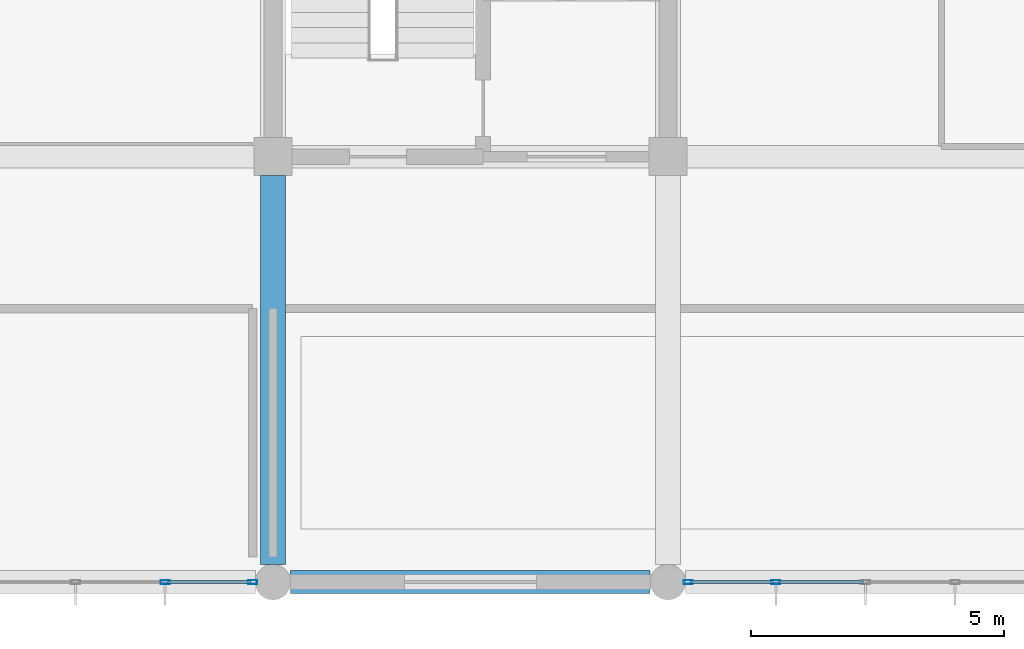
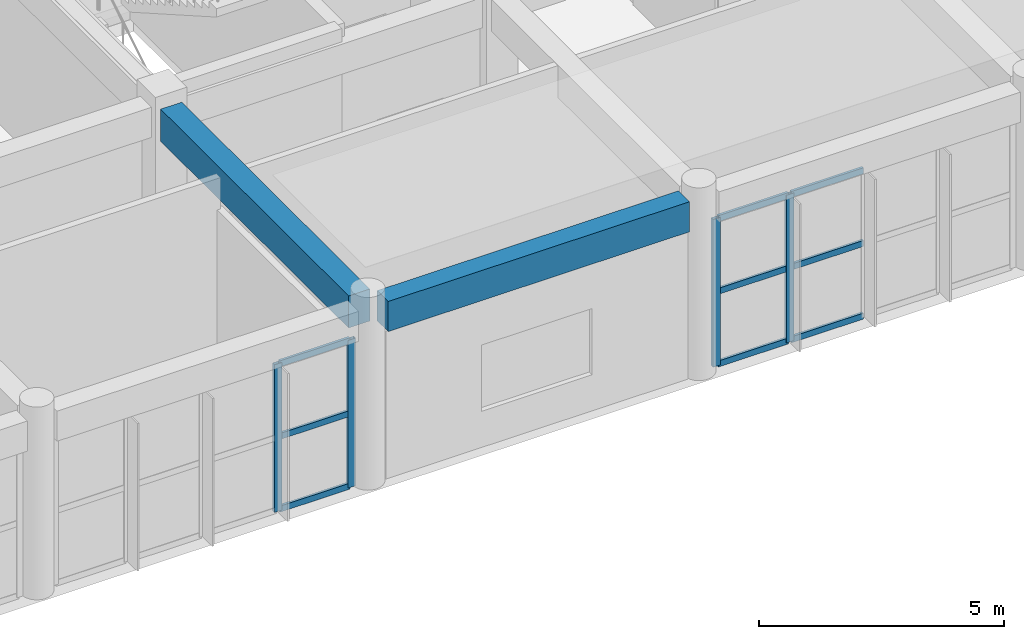
# One storey, part 17 of 175: 13 members, 2 beams, 2 elements without a shape of their own.
"""IFC4 building model written with IfcOpenShell, lengths in metres."""

from ifc_helpers import new_model, si_unit, direction, frame, origin, origin_2d, place, context, subcontext, project, spatial, rectangle, hollow_rectangle, extrude, material, layer, layer_set, material_profile, profile_set, type_object, element, aggregate, save


model = new_model("IFC4")

# Units and contexts
model_context = context("Model", 3, precision=1e-05, world=origin(), true_north=direction((0.0, 1.0)))
body_context = subcontext(model_context, "Body", "Model", "MODEL_VIEW")
ifc_project = project(units=[si_unit("LENGTHUNIT", "METRE"), si_unit("AREAUNIT", "SQUARE_METRE"), si_unit("VOLUMEUNIT", "CUBIC_METRE"), si_unit("PLANEANGLEUNIT", "RADIAN"), si_unit("MASSUNIT", "GRAM", prefix="KILO")], contexts=[model_context])

# Site, building, storey
site_placement = place(None, origin())
site = spatial("IfcSite", under=ifc_project, at=site_placement, CompositionType="ELEMENT")
building_placement = place(site_placement, origin())
building = spatial("IfcBuilding", under=site, at=building_placement, Name="Zizhar Promenade General Hospital", CompositionType="ELEMENT")
storey_placement = place(building_placement, frame((0.0, 0.0, 4.800048828125)))
storey = spatial("IfcBuildingStorey", under=building, at=storey_placement, Name="L01", CompositionType="ELEMENT", Elevation=4.800048828125)

# Beams
ifc_material_1 = material(Name="Concrete C35/45", Category="concrete")
ifc_material_profile_1 = material_profile(ifc_material_1, rectangle(XDim=0.449951171875, YDim=0.75, at=origin_2d()))
ifc_profile_set_1 = profile_set([ifc_material_profile_1], Name="Concrete C35/45")
beam_type_1 = type_object("IfcBeamType", Name="BM-RC-450x750", PredefinedType="BEAM", material=ifc_profile_set_1)
beam_1_placement = place(storey_placement, frame((47.14990234375, 0.0, 4.094970703125), z_axis=(1.0, 0.0, 0.0), x_axis=(0.0, 1.0, 0.0)))
element("IfcBeam", 1, at=beam_1_placement, inside=storey, type_object=beam_type_1, Name="Grid Beam X L01 (6-0)", PredefinedType="BEAM", context=body_context, shape_type="SweptSolid", body=[
    extrude(rectangle(XDim=0.449951171875, YDim=0.75, at=origin_2d()), origin(), (0.0, 0.0, 1.0), 7.10009765625),
])
ifc_material_2 = material(Name="Concrete C35/45", Category="concrete")
ifc_material_profile_2 = material_profile(ifc_material_2, rectangle(XDim=0.5, YDim=0.800048828125, at=origin_2d()))
ifc_profile_set_2 = profile_set([ifc_material_profile_2], Name="Concrete C35/45")
beam_type_2 = type_object("IfcBeamType", Name="BM-RC-500x800", PredefinedType="BEAM", material=ifc_profile_set_2)
beam_2_placement = place(storey_placement, frame((46.800048828125, 0.35009765625, 4.070068359375), z_axis=(0.0, 1.0, 0.0), x_axis=(-1.0, 0.0, 0.0)))
element("IfcBeam", 2, at=beam_2_placement, inside=storey, type_object=beam_type_2, Name="Grid Beam Y L01 (6-0)", PredefinedType="BEAM", context=body_context, shape_type="SweptSolid", body=[
    extrude(rectangle(XDim=0.5, YDim=0.800048828125, at=origin_2d()), origin(), (0.0, 0.0, 1.0), 7.6748046875),
])

# Curtain wall, members
ifc_material_3 = material(Name="Anodised aluminium 6063-T6 and low-E glass", Category="aluminium")
ifc_layer = layer(ifc_material_3, 0.159912109375)
ifc_layer_set = layer_set([ifc_layer], Name="Anodised aluminium 6063-T6 and low-E glass")
curtain_wall_type = type_object("IfcCurtainWallType", Name="CW-DT-MOD1", PredefinedType="NOTDEFINED", material=ifc_layer_set)
curtain_wall_1_placement = place(storey_placement, origin())
curtain_wall_1 = element("IfcCurtainWall", 3, at=curtain_wall_1_placement, inside=storey, type_object=curtain_wall_type, Name="Riverfront Clinical Curtain Wall L01-4", PredefinedType="NOTDEFINED")
ifc_material_4 = material(Name="Anodised aluminium 6063-T6", Category="aluminium")
ifc_material_profile_3 = material_profile(ifc_material_4, hollow_rectangle(XDim=0.080078125, YDim=0.179931640625, WallThickness=0.0048828125, at=origin_2d()))
ifc_profile_set_3 = profile_set([ifc_material_profile_3], Name="Anodised aluminium 6063-T6")
member_type_1 = type_object("IfcMemberType", Name="CWM-ALU-180x80", PredefinedType="MULLION", material=ifc_profile_set_3)
member_1_placement = place(storey_placement, frame((46.39990234375, 0.0, 0.0), z_axis=(0.0, 0.0, 1.0), x_axis=(0.0, -1.0, 0.0)))
member_1 = element("IfcMember", 4, at=member_1_placement, type_object=member_type_1, Name="CW-07 mullion 1", PredefinedType="MULLION", context=body_context, shape_type="SweptSolid", body=[
    extrude(hollow_rectangle(XDim=0.080078125, YDim=0.179931640625, WallThickness=0.0048828125, at=origin_2d()), origin(), (0.0, 0.0, 1.0), 3.679931640625),
])
member_2_placement = place(storey_placement, frame((44.669921875, 0.0, 0.0), z_axis=(0.0, 0.0, 1.0), x_axis=(0.0, -1.0, 0.0)))
member_2 = element("IfcMember", 5, at=member_2_placement, type_object=member_type_1, Name="CW-07 mullion 2", PredefinedType="MULLION", context=body_context, shape_type="SweptSolid", body=[
    extrude(hollow_rectangle(XDim=0.080078125, YDim=0.179931640625, WallThickness=0.0048828125, at=origin_2d()), origin(), (0.0, 0.0, 1.0), 3.679931640625),
])

curtain_wall_2_placement = place(storey_placement, origin())
curtain_wall_2 = element("IfcCurtainWall", 6, at=curtain_wall_2_placement, inside=storey, type_object=curtain_wall_type, Name="Riverfront Clinical Curtain Wall L01-6", PredefinedType="NOTDEFINED")
member_3_placement = place(storey_placement, frame((56.72998046875, 0.0, 0.0), z_axis=(0.0, 0.0, 1.0), x_axis=(0.0, -1.0, 0.0)))
member_3 = element("IfcMember", 7, at=member_3_placement, type_object=member_type_1, Name="CW-07 mullion 4", PredefinedType="MULLION", context=body_context, shape_type="SweptSolid", body=[
    extrude(hollow_rectangle(XDim=0.080078125, YDim=0.179931640625, WallThickness=0.0048828125, at=origin_2d()), origin(), (0.0, 0.0, 1.0), 3.679931640625),
])
member_4_placement = place(storey_placement, frame((55.0, 0.0, 0.0), z_axis=(0.0, 0.0, 1.0), x_axis=(0.0, -1.0, 0.0)))
member_4 = element("IfcMember", 8, at=member_4_placement, type_object=member_type_1, Name="CW-07 mullion 5", PredefinedType="MULLION", context=body_context, shape_type="SweptSolid", body=[
    extrude(hollow_rectangle(XDim=0.080078125, YDim=0.179931640625, WallThickness=0.0048828125, at=origin_2d()), origin(), (0.0, 0.0, 1.0), 3.679931640625),
])

# Member
ifc_material_5 = material(Name="Anodised aluminium 6063-T6", Category="aluminium")
ifc_material_profile_4 = material_profile(ifc_material_5, hollow_rectangle(XDim=0.06005859375, YDim=0.14990234375, WallThickness=0.00390625, at=origin_2d()))
ifc_profile_set_4 = profile_set([ifc_material_profile_4], Name="Anodised aluminium 6063-T6")
member_type_2 = type_object("IfcMemberType", Name="CWT-ALU-150x60", PredefinedType="USERDEFINED", material=ifc_profile_set_4)
member_5_placement = place(storey_placement, frame((46.360107421875, 0.0, 0.030029296875), z_axis=(-1.0, 0.0, 0.0), x_axis=(0.0, -1.0, 0.0)))
member_5 = element("IfcMember", 9, at=member_5_placement, type_object=member_type_2, Name="CW-07 transom 1.1", ObjectType="TRANSOM", PredefinedType="USERDEFINED", context=body_context, shape_type="SweptSolid", body=[
    extrude(hollow_rectangle(XDim=0.06005859375, YDim=0.14990234375, WallThickness=0.00390625, at=origin_2d()), origin(), (0.0, 0.0, 1.0), 1.650146484375),
])

member_6_placement = place(storey_placement, frame((46.360107421875, 0.0, 1.83984375), z_axis=(-1.0, 0.0, 0.0), x_axis=(0.0, -1.0, 0.0)))
member_6 = element("IfcMember", 10, at=member_6_placement, type_object=member_type_2, Name="CW-07 transom 1.2", ObjectType="TRANSOM", PredefinedType="USERDEFINED", context=body_context, shape_type="SweptSolid", body=[
    extrude(hollow_rectangle(XDim=0.06005859375, YDim=0.14990234375, WallThickness=0.00390625, at=origin_2d()), origin(), (0.0, 0.0, 1.0), 1.650146484375),
])

member_7_placement = place(storey_placement, frame((46.360107421875, 0.0, 3.64990234375), z_axis=(-1.0, 0.0, 0.0), x_axis=(0.0, -1.0, 0.0)))
member_7 = element("IfcMember", 11, at=member_7_placement, type_object=member_type_2, Name="CW-07 transom 1.3", ObjectType="TRANSOM", PredefinedType="USERDEFINED", context=body_context, shape_type="SweptSolid", body=[
    extrude(hollow_rectangle(XDim=0.06005859375, YDim=0.14990234375, WallThickness=0.00390625, at=origin_2d()), origin(), (0.0, 0.0, 1.0), 1.650146484375),
])

aggregate(curtain_wall_1, [member_1, member_2, member_5, member_6, member_7])

member_8_placement = place(storey_placement, frame((58.4599609375, 0.0, 0.030029296875), z_axis=(-1.0, 0.0, 0.0), x_axis=(0.0, -1.0, 0.0)))
member_8 = element("IfcMember", 12, at=member_8_placement, type_object=member_type_2, Name="CW-07 transom 3.1", ObjectType="TRANSOM", PredefinedType="USERDEFINED", context=body_context, shape_type="SweptSolid", body=[
    extrude(hollow_rectangle(XDim=0.06005859375, YDim=0.14990234375, WallThickness=0.00390625, at=origin_2d()), origin(), (0.0, 0.0, 1.0), 1.68994140625),
])

member_9_placement = place(storey_placement, frame((58.4599609375, 0.0, 1.83984375), z_axis=(-1.0, 0.0, 0.0), x_axis=(0.0, -1.0, 0.0)))
member_9 = element("IfcMember", 13, at=member_9_placement, type_object=member_type_2, Name="CW-07 transom 3.2", ObjectType="TRANSOM", PredefinedType="USERDEFINED", context=body_context, shape_type="SweptSolid", body=[
    extrude(hollow_rectangle(XDim=0.06005859375, YDim=0.14990234375, WallThickness=0.00390625, at=origin_2d()), origin(), (0.0, 0.0, 1.0), 1.68994140625),
])

member_10_placement = place(storey_placement, frame((58.4599609375, 0.0, 3.64990234375), z_axis=(-1.0, 0.0, 0.0), x_axis=(0.0, -1.0, 0.0)))
member_10 = element("IfcMember", 14, at=member_10_placement, type_object=member_type_2, Name="CW-07 transom 3.3", ObjectType="TRANSOM", PredefinedType="USERDEFINED", context=body_context, shape_type="SweptSolid", body=[
    extrude(hollow_rectangle(XDim=0.06005859375, YDim=0.14990234375, WallThickness=0.00390625, at=origin_2d()), origin(), (0.0, 0.0, 1.0), 1.68994140625),
])

member_11_placement = place(storey_placement, frame((56.68994140625, 0.0, 0.030029296875), z_axis=(-1.0, 0.0, 0.0), x_axis=(0.0, -1.0, 0.0)))
member_11 = element("IfcMember", 15, at=member_11_placement, type_object=member_type_2, Name="CW-07 transom 4.1", ObjectType="TRANSOM", PredefinedType="USERDEFINED", context=body_context, shape_type="SweptSolid", body=[
    extrude(hollow_rectangle(XDim=0.06005859375, YDim=0.14990234375, WallThickness=0.00390625, at=origin_2d()), origin(), (0.0, 0.0, 1.0), 1.64990234375),
])

member_12_placement = place(storey_placement, frame((56.68994140625, 0.0, 1.83984375), z_axis=(-1.0, 0.0, 0.0), x_axis=(0.0, -1.0, 0.0)))
member_12 = element("IfcMember", 16, at=member_12_placement, type_object=member_type_2, Name="CW-07 transom 4.2", ObjectType="TRANSOM", PredefinedType="USERDEFINED", context=body_context, shape_type="SweptSolid", body=[
    extrude(hollow_rectangle(XDim=0.06005859375, YDim=0.14990234375, WallThickness=0.00390625, at=origin_2d()), origin(), (0.0, 0.0, 1.0), 1.64990234375),
])

member_13_placement = place(storey_placement, frame((56.68994140625, 0.0, 3.64990234375), z_axis=(-1.0, 0.0, 0.0), x_axis=(0.0, -1.0, 0.0)))
member_13 = element("IfcMember", 17, at=member_13_placement, type_object=member_type_2, Name="CW-07 transom 4.3", ObjectType="TRANSOM", PredefinedType="USERDEFINED", context=body_context, shape_type="SweptSolid", body=[
    extrude(hollow_rectangle(XDim=0.06005859375, YDim=0.14990234375, WallThickness=0.00390625, at=origin_2d()), origin(), (0.0, 0.0, 1.0), 1.64990234375),
])

aggregate(curtain_wall_2, [member_3, member_4, member_8, member_9, member_10, member_11, member_12, member_13])

save(model, "model.ifc")
